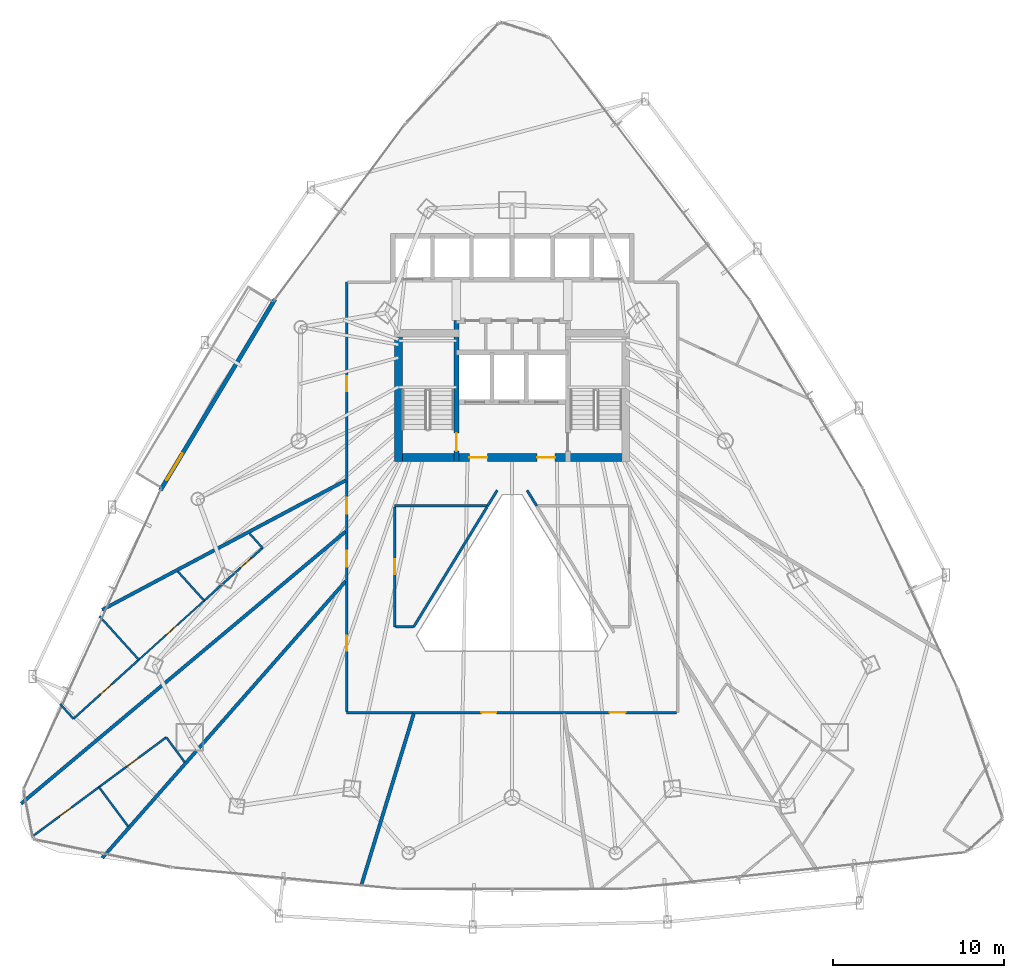
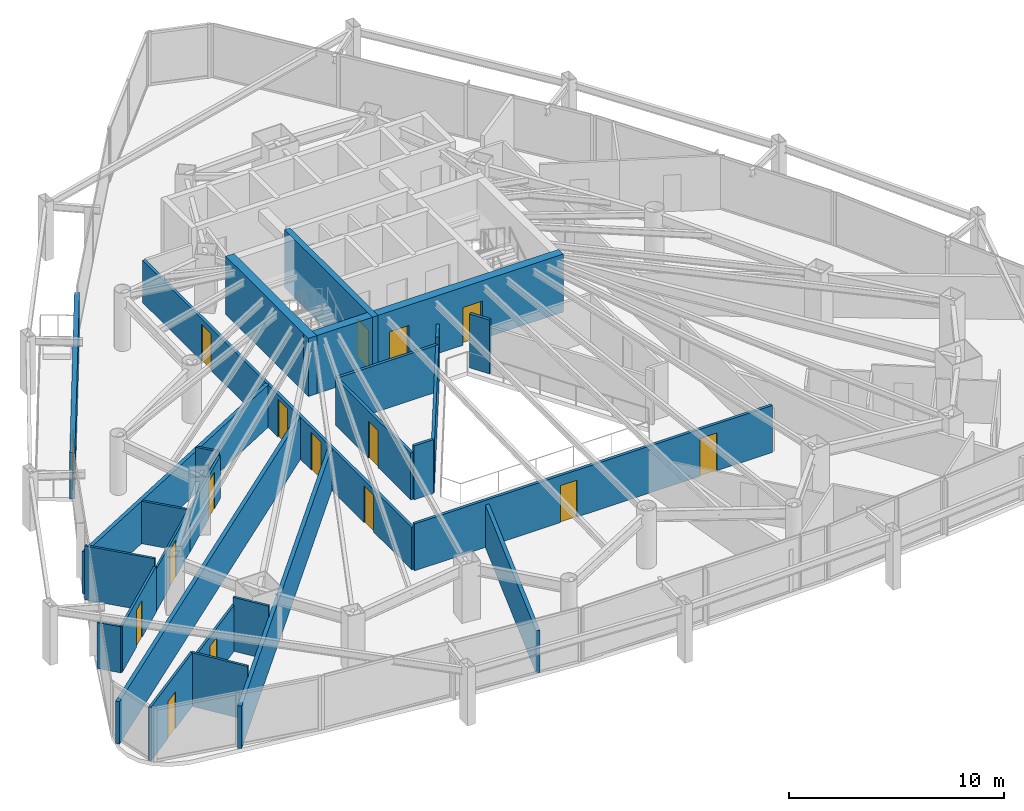
# One storey, part 32 of 38: 27 walls, 16 doors, 16 openings.
"""IFC4 building model written with IfcOpenShell, lengths in metres."""

from ifc_helpers import new_model, si_unit, direction, frame, frame_2d, origin, place, context, subcontext, project, spatial, rectangle, extrude, material, layer, layer_set, type_object, element, fill, save


model = new_model("IFC4")

# Units and contexts
model_context = context("Model", 3, precision=1e-05, world=origin(), true_north=direction((0.0, 1.0)))
body_context = subcontext(model_context, "Body", "Model", "MODEL_VIEW")
ifc_project = project(units=[si_unit("LENGTHUNIT", "METRE"), si_unit("AREAUNIT", "SQUARE_METRE"), si_unit("VOLUMEUNIT", "CUBIC_METRE"), si_unit("PLANEANGLEUNIT", "RADIAN"), si_unit("MASSUNIT", "GRAM", prefix="KILO")], contexts=[model_context])

# Site, building, storey
site_placement = place(None, origin())
site = spatial("IfcSite", under=ifc_project, at=site_placement, CompositionType="ELEMENT")
building_placement = place(site_placement, origin())
building = spatial("IfcBuilding", under=site, at=building_placement, Name="Orvanel Arch Residences", CompositionType="ELEMENT")
storey_placement = place(building_placement, frame((0.0, 0.0, 46.699951171875)))
storey = spatial("IfcBuildingStorey", under=building, at=storey_placement, Name="L12", CompositionType="ELEMENT", Elevation=46.699951171875)

# Wall, opening, door
ifc_material_1 = material(Name="Precast concrete N50 (50 MPa)", Category="concrete")
ifc_layer_1 = layer(ifc_material_1, 0.239990234375)
ifc_layer_set_1 = layer_set([ifc_layer_1], Name="Precast concrete N50 (50 MPa)")
wall_type_1 = type_object("IfcWallType", Name="EW-BAL-240", PredefinedType="SOLIDWALL", material=ifc_layer_set_1)
wall_1_placement = place(storey_placement, frame((19.162109375, 35.89599609375, 0.0), z_axis=(0.0, 0.0, 1.0), x_axis=(-0.514316069528, -0.857600711652, 0.0)))
wall_1 = element("IfcWall", 1, at=wall_1_placement, inside=storey, type_object=wall_type_1, Name="L12 Balcony Threshold Wall Face 1", PredefinedType="SOLIDWALL", context=body_context, shape_type="SweptSolid", body=[
    extrude(rectangle(XDim=12.988525390625, YDim=0.239990234375, at=frame_2d((6.494140625, 0.0))), origin(), (0.0, 0.0, 1.0), 2.6240234375),
])
opening_1_placement = place(wall_1_placement, frame((10.490966796875, 0.0, 0.0)))
opening_1 = element("IfcOpeningElement", 2, at=opening_1_placement, cuts=wall_1, Name="Opening DB-180", PredefinedType="OPENING", context=body_context, shape_type="SweptSolid", body=[
    extrude(rectangle(XDim=1.800048828125, YDim=2.199951171875, at=frame_2d((0.89990234375, 1.10009765625))), frame((0.0, 0.1298828125, 0.0), z_axis=(0.0, -1.0, 0.0), x_axis=(1.0, 0.0, 0.0)), (0.0, 0.0, 1.0), 0.260009765625),
])
ifc_material_2 = material(Name="Bronze-anodised aluminium AA6063-T6", Category="aluminium")
door_type_1 = type_object("IfcDoorType", Name="DR-BAL-1800", OperationType="NOTDEFINED", PredefinedType="DOOR", material=ifc_material_2)
door_1_placement = place(opening_1_placement, origin())
door_1 = element("IfcDoor", 3, at=door_1_placement, inside=storey, type_object=door_type_1, Name="DR-L12-BAL-F1 L12 Planted Balcony Access Door Face 1", OperationType="SINGLE_SWING_RIGHT", OverallHeight=2.199951171875, OverallWidth=1.800048828125, PredefinedType="DOOR", context=body_context, shape_type="SweptSolid", body=[
    extrude(rectangle(XDim=1.800048828125, YDim=2.199951171875, at=frame_2d((0.89990234375, 1.10009765625))), frame((0.0, 0.02490234375, 0.0), z_axis=(0.0, -1.0, 0.0), x_axis=(1.0, 0.0, 0.0)), (0.0, 0.0, 1.0), 0.050048828125),
])
fill(opening_1, door_1)

ifc_material_3 = material(Name="Concrete S80 (80 MPa)", Category="concrete")
ifc_layer_2 = layer(ifc_material_3, 0.300048828125)
ifc_layer_set_2 = layer_set([ifc_layer_2], Name="Concrete S80 (80 MPa)")
wall_type_2 = type_object("IfcWallType", Name="SW-CORE-300", PredefinedType="SHEAR", material=ifc_layer_set_2)
wall_2_placement = place(storey_placement, frame((29.75, 26.449951171875, 0.0), z_axis=(0.0, 0.0, 1.0), x_axis=(0.0, 1.0, 0.0)))
wall_2 = element("IfcWall", 4, at=wall_2_placement, inside=storey, type_object=wall_type_2, Name="L12 West Inner Core Spine Shear Wall", PredefinedType="SHEAR", context=body_context, shape_type="SweptSolid", body=[
    extrude(rectangle(XDim=8.199951171875, YDim=0.300048828125, at=frame_2d((4.10009765625, 0.0))), origin(), (0.0, 0.0, 1.0), 3.300048828125),
])
opening_2_placement = place(wall_2_placement, frame((0.60009765625, 0.0, 0.0)))
opening_2 = element("IfcOpeningElement", 5, at=opening_2_placement, cuts=wall_2, Name="Opening DF-120", PredefinedType="OPENING", context=body_context, shape_type="SweptSolid", body=[
    extrude(rectangle(XDim=1.050048828125, YDim=2.14990234375, at=frame_2d((0.52490234375, 1.074951171875))), frame((0.0, 0.159912109375, 0.0), z_axis=(0.0, -1.0, 0.0), x_axis=(1.0, 0.0, 0.0)), (0.0, 0.0, 1.0), 0.320068359375),
])
ifc_material_4 = material(Name="Galvanised steel fire-resisting door assembly", Category="steel")
door_type_2 = type_object("IfcDoorType", Name="DR-FD120-1050", OperationType="NOTDEFINED", PredefinedType="DOOR", material=ifc_material_4)
door_2_placement = place(opening_2_placement, origin())
door_2 = element("IfcDoor", 6, at=door_2_placement, inside=storey, type_object=door_type_2, Name="DR-L12-ST1 L12 Stair 1 Fire Door", OperationType="SINGLE_SWING_LEFT", OverallHeight=2.14990234375, OverallWidth=1.050048828125, PredefinedType="DOOR", context=body_context, shape_type="SweptSolid", body=[
    extrude(rectangle(XDim=1.050048828125, YDim=2.14990234375, at=frame_2d((0.52490234375, 1.074951171875))), frame((0.0, 0.02490234375, 0.0), z_axis=(0.0, -1.0, 0.0), x_axis=(1.0, 0.0, 0.0)), (0.0, 0.0, 1.0), 0.050048828125),
])
fill(opening_2, door_2)

# Wall, openings, doors
ifc_layer_3 = layer(ifc_material_3, 0.449951171875)
ifc_layer_set_3 = layer_set([ifc_layer_3], Name="Concrete S80 (80 MPa)")
wall_type_3 = type_object("IfcWallType", Name="SW-CORE-450", PredefinedType="SHEAR", material=ifc_layer_set_3)
wall_3_placement = place(storey_placement, frame((26.14990234375, 26.675048828125, 0.0), z_axis=(0.0, 0.0, 1.0), x_axis=(1.0, 0.0, 0.0)))
wall_3 = element("IfcWall", 7, at=wall_3_placement, inside=storey, type_object=wall_type_3, Name="L12 South Core Shear Wall", PredefinedType="SHEAR", context=body_context, shape_type="SweptSolid", body=[
    extrude(rectangle(XDim=13.7001953125, YDim=0.449951171875, at=frame_2d((6.85009765625, 0.0))), origin(), (0.0, 0.0, 1.0), 3.300048828125),
])
opening_3_placement = place(wall_3_placement, frame((4.35009765625, 0.0, 0.0)))
opening_3 = element("IfcOpeningElement", 8, at=opening_3_placement, cuts=wall_3, Name="Opening DF-060", PredefinedType="OPENING", context=body_context, shape_type="SweptSolid", body=[
    extrude(rectangle(XDim=1.050048828125, YDim=2.14990234375, at=frame_2d((0.52490234375, 1.074951171875))), frame((0.0, 0.23486328125, 0.0), z_axis=(0.0, -1.0, 0.0), x_axis=(1.0, 0.0, 0.0)), (0.0, 0.0, 1.0), 0.469970703125),
])
opening_4_placement = place(wall_3_placement, frame((8.300048828125, 0.0, 0.0)))
opening_4 = element("IfcOpeningElement", 9, at=opening_4_placement, cuts=wall_3, Name="Opening DF-060", PredefinedType="OPENING", context=body_context, shape_type="SweptSolid", body=[
    extrude(rectangle(XDim=1.050048828125, YDim=2.14990234375, at=frame_2d((0.52490234375, 1.074951171875))), frame((0.0, 0.23486328125, 0.0), z_axis=(0.0, -1.0, 0.0), x_axis=(1.0, 0.0, 0.0)), (0.0, 0.0, 1.0), 0.469970703125),
])
door_type_3 = type_object("IfcDoorType", Name="DR-FD60-1050", OperationType="NOTDEFINED", PredefinedType="DOOR", material=ifc_material_4)
door_3_placement = place(opening_3_placement, origin())
door_3 = element("IfcDoor", 10, at=door_3_placement, inside=storey, type_object=door_type_3, Name="DR-L12-FFL-W L12 West Smoke Lobby Door", OperationType="SINGLE_SWING_LEFT", OverallHeight=2.14990234375, OverallWidth=1.050048828125, PredefinedType="DOOR", context=body_context, shape_type="SweptSolid", body=[
    extrude(rectangle(XDim=1.050048828125, YDim=2.14990234375, at=frame_2d((0.52490234375, 1.074951171875))), frame((0.0, 0.02490234375, 0.0), z_axis=(0.0, -1.0, 0.0), x_axis=(1.0, 0.0, 0.0)), (0.0, 0.0, 1.0), 0.050048828125),
])
fill(opening_3, door_3)
door_4_placement = place(opening_4_placement, origin())
door_4 = element("IfcDoor", 11, at=door_4_placement, inside=storey, type_object=door_type_3, Name="DR-L12-FFL-E L12 East Smoke Lobby Door", OperationType="SINGLE_SWING_RIGHT", OverallHeight=2.14990234375, OverallWidth=1.050048828125, PredefinedType="DOOR", context=body_context, shape_type="SweptSolid", body=[
    extrude(rectangle(XDim=1.050048828125, YDim=2.14990234375, at=frame_2d((0.52490234375, 1.074951171875))), frame((0.0, 0.02490234375, 0.0), z_axis=(0.0, -1.0, 0.0), x_axis=(1.0, 0.0, 0.0)), (0.0, 0.0, 1.0), 0.050048828125),
])
fill(opening_4, door_4)

# Wall
wall_4_placement = place(storey_placement, frame((26.375, 26.449951171875, 0.0), z_axis=(0.0, 0.0, 1.0), x_axis=(0.0, 1.0, 0.0)))
element("IfcWall", 12, at=wall_4_placement, inside=storey, type_object=wall_type_3, Name="L12 West Stair Shear Wall", PredefinedType="SHEAR", context=body_context, shape_type="SweptSolid", body=[
    extrude(rectangle(XDim=7.699951171875, YDim=0.449951171875, at=frame_2d((3.85009765625, 0.0))), origin(), (0.0, 0.0, 1.0), 3.300048828125),
])

# Wall, openings, doors
ifc_material_5 = material(Name="Fire-rated plasterboard lined steel stud partition", Category="steel")
ifc_layer_4 = layer(ifc_material_5, 0.14990234375)
ifc_layer_set_4 = layer_set([ifc_layer_4], Name="Fire-rated plasterboard lined steel stud partition")
wall_type_4 = type_object("IfcWallType", Name="W-COR-150", PredefinedType="PARTITIONING", material=ifc_layer_set_4)
wall_5_placement = place(storey_placement, frame((42.590087890625, 11.800048828125, 0.0), z_axis=(0.0, 0.0, 1.0), x_axis=(-1.0, 0.0, 0.0)))
wall_5 = element("IfcWall", 13, at=wall_5_placement, inside=storey, type_object=wall_type_4, Name="L12 Corridor Fire-Rated Partition", PredefinedType="PARTITIONING", context=body_context, shape_type="SweptSolid", body=[
    extrude(rectangle(XDim=19.239990234375, YDim=0.14990234375, at=frame_2d((9.6201171875, 0.0))), origin(), (0.0, 0.0, 1.0), 2.6689453125),
])
opening_5_placement = place(wall_5_placement, frame((10.508056640625, 0.0, 0.0)))
opening_5 = element("IfcOpeningElement", 14, at=opening_5_placement, cuts=wall_5, Name="Opening DI-088", PredefinedType="OPENING", context=body_context, shape_type="SweptSolid", body=[
    extrude(rectangle(XDim=0.8798828125, YDim=2.10009765625, at=frame_2d((0.43994140625, 1.050048828125))), frame((0.0, 0.0849609375, 0.0), z_axis=(0.0, -1.0, 0.0), x_axis=(1.0, 0.0, 0.0)), (0.0, 0.0, 1.0), 0.169921875),
])
opening_6_placement = place(wall_5_placement, frame((2.97998046875, 0.0, 0.0)))
opening_6 = element("IfcOpeningElement", 15, at=opening_6_placement, cuts=wall_5, Name="Opening DA-092", PredefinedType="OPENING", context=body_context, shape_type="SweptSolid", body=[
    extrude(rectangle(XDim=0.919921875, YDim=2.14990234375, at=frame_2d((0.4599609375, 1.074951171875))), frame((0.0, 0.0849609375, 0.0), z_axis=(0.0, -1.0, 0.0), x_axis=(1.0, 0.0, 0.0)), (0.0, 0.0, 1.0), 0.169921875),
])
ifc_material_6 = material(Name="Solid-core European oak veneer fire door leaf", Category="wood")
door_type_4 = type_object("IfcDoorType", Name="DR-APT-920", OperationType="NOTDEFINED", PredefinedType="DOOR", material=ifc_material_6)
door_5_placement = place(opening_6_placement, origin())
door_5 = element("IfcDoor", 16, at=door_5_placement, inside=storey, type_object=door_type_4, Name="DR-L12-F-ENT L12 Studio F Entrance Door", OperationType="SINGLE_SWING_LEFT", OverallHeight=2.14990234375, OverallWidth=0.919921875, PredefinedType="DOOR", context=body_context, shape_type="SweptSolid", body=[
    extrude(rectangle(XDim=0.919921875, YDim=2.14990234375, at=frame_2d((0.4599609375, 1.074951171875))), frame((0.0, 0.02490234375, 0.0), z_axis=(0.0, -1.0, 0.0), x_axis=(1.0, 0.0, 0.0)), (0.0, 0.0, 1.0), 0.050048828125),
])
fill(opening_6, door_5)
door_type_5 = type_object("IfcDoorType", Name="DR-INT-880", OperationType="NOTDEFINED", PredefinedType="DOOR", material=ifc_material_6)
door_6_placement = place(opening_5_placement, origin())
door_6 = element("IfcDoor", 17, at=door_6_placement, inside=storey, type_object=door_type_5, Name="DR-L12-SHRD-FB5 L12 Co-Working Study Office E Door", OperationType="SINGLE_SWING_LEFT", OverallHeight=2.10009765625, OverallWidth=0.8798828125, PredefinedType="DOOR", context=body_context, shape_type="SweptSolid", body=[
    extrude(rectangle(XDim=0.8798828125, YDim=2.10009765625, at=frame_2d((0.43994140625, 1.050048828125))), frame((0.0, 0.02490234375, 0.0), z_axis=(0.0, -1.0, 0.0), x_axis=(1.0, 0.0, 0.0)), (0.0, 0.0, 1.0), 0.050048828125),
])
fill(opening_5, door_6)

wall_6_placement = place(storey_placement, frame((23.35009765625, 11.860107421875, 0.0), z_axis=(0.0, 0.0, 1.0), x_axis=(0.0, 1.0, 0.0)))
wall_6 = element("IfcWall", 18, at=wall_6_placement, inside=storey, type_object=wall_type_4, Name="L12 Corridor Fire-Rated Partition", PredefinedType="PARTITIONING", context=body_context, shape_type="SweptSolid", body=[
    extrude(rectangle(XDim=25.039794921875, YDim=0.14990234375, at=frame_2d((12.52001953125, 0.0))), origin(), (0.0, 0.0, 1.0), 2.4130859375),
])
opening_7_placement = place(wall_6_placement, frame((18.669921875, 0.0, 0.0)))
opening_7 = element("IfcOpeningElement", 19, at=opening_7_placement, cuts=wall_6, Name="Opening DI-088", PredefinedType="OPENING", context=body_context, shape_type="SweptSolid", body=[
    extrude(rectangle(XDim=0.8798828125, YDim=2.10009765625, at=frame_2d((0.43994140625, 1.050048828125))), frame((0.0, 0.0849609375, 0.0), z_axis=(0.0, -1.0, 0.0), x_axis=(1.0, 0.0, 0.0)), (0.0, 0.0, 1.0), 0.169921875),
])
opening_8_placement = place(wall_6_placement, frame((3.54296875, 0.0, 0.0)))
opening_8 = element("IfcOpeningElement", 20, at=opening_8_placement, cuts=wall_6, Name="Opening DI-088", PredefinedType="OPENING", context=body_context, shape_type="SweptSolid", body=[
    extrude(rectangle(XDim=0.8798828125, YDim=2.10009765625, at=frame_2d((0.43994140625, 1.050048828125))), frame((0.0, 0.0849609375, 0.0), z_axis=(0.0, -1.0, 0.0), x_axis=(1.0, 0.0, 0.0)), (0.0, 0.0, 1.0), 0.169921875),
])
opening_9_placement = place(wall_6_placement, frame((8.445068359375, 0.0, 0.0)))
opening_9 = element("IfcOpeningElement", 21, at=opening_9_placement, cuts=wall_6, Name="Opening DA-092", PredefinedType="OPENING", context=body_context, shape_type="SweptSolid", body=[
    extrude(rectangle(XDim=0.919921875, YDim=2.14990234375, at=frame_2d((0.4599609375, 1.074951171875))), frame((0.0, 0.0849609375, 0.0), z_axis=(0.0, -1.0, 0.0), x_axis=(1.0, 0.0, 0.0)), (0.0, 0.0, 1.0), 0.169921875),
])
opening_10_placement = place(wall_6_placement, frame((11.534912109375, 0.0, 0.0)))
opening_10 = element("IfcOpeningElement", 22, at=opening_10_placement, cuts=wall_6, Name="Opening DA-092", PredefinedType="OPENING", context=body_context, shape_type="SweptSolid", body=[
    extrude(rectangle(XDim=0.919921875, YDim=2.14990234375, at=frame_2d((0.4599609375, 1.074951171875))), frame((0.0, 0.0849609375, 0.0), z_axis=(0.0, -1.0, 0.0), x_axis=(1.0, 0.0, 0.0)), (0.0, 0.0, 1.0), 0.169921875),
])
door_7_placement = place(opening_9_placement, origin())
door_7 = element("IfcDoor", 23, at=door_7_placement, inside=storey, type_object=door_type_4, Name="DR-L12-G-ENT L12 Studio G Entrance Door", OperationType="SINGLE_SWING_RIGHT", OverallHeight=2.14990234375, OverallWidth=0.919921875, PredefinedType="DOOR", context=body_context, shape_type="SweptSolid", body=[
    extrude(rectangle(XDim=0.919921875, YDim=2.14990234375, at=frame_2d((0.4599609375, 1.074951171875))), frame((0.0, 0.02490234375, 0.0), z_axis=(0.0, -1.0, 0.0), x_axis=(1.0, 0.0, 0.0)), (0.0, 0.0, 1.0), 0.050048828125),
])
fill(opening_9, door_7)
door_8_placement = place(opening_10_placement, origin())
door_8 = element("IfcDoor", 24, at=door_8_placement, inside=storey, type_object=door_type_4, Name="DR-L12-H-ENT L12 Studio H Entrance Door", OperationType="SINGLE_SWING_LEFT", OverallHeight=2.14990234375, OverallWidth=0.919921875, PredefinedType="DOOR", context=body_context, shape_type="SweptSolid", body=[
    extrude(rectangle(XDim=0.919921875, YDim=2.14990234375, at=frame_2d((0.4599609375, 1.074951171875))), frame((0.0, 0.02490234375, 0.0), z_axis=(0.0, -1.0, 0.0), x_axis=(1.0, 0.0, 0.0)), (0.0, 0.0, 1.0), 0.050048828125),
])
fill(opening_10, door_8)
door_9_placement = place(opening_7_placement, origin())
door_9 = element("IfcDoor", 25, at=door_9_placement, inside=storey, type_object=door_type_5, Name="DR-L12-SHRD-FB1 L12 Co-Working Study Office A Door", OperationType="SINGLE_SWING_LEFT", OverallHeight=2.10009765625, OverallWidth=0.8798828125, PredefinedType="DOOR", context=body_context, shape_type="SweptSolid", body=[
    extrude(rectangle(XDim=0.8798828125, YDim=2.10009765625, at=frame_2d((0.43994140625, 1.050048828125))), frame((0.0, 0.02490234375, 0.0), z_axis=(0.0, -1.0, 0.0), x_axis=(1.0, 0.0, 0.0)), (0.0, 0.0, 1.0), 0.050048828125),
])
fill(opening_7, door_9)
door_10_placement = place(opening_8_placement, origin())
door_10 = element("IfcDoor", 26, at=door_10_placement, inside=storey, type_object=door_type_5, Name="DR-L12-SHRD-FB3 L12 Co-Working Study Office C Door", OperationType="SINGLE_SWING_LEFT", OverallHeight=2.10009765625, OverallWidth=0.8798828125, PredefinedType="DOOR", context=body_context, shape_type="SweptSolid", body=[
    extrude(rectangle(XDim=0.8798828125, YDim=2.10009765625, at=frame_2d((0.43994140625, 1.050048828125))), frame((0.0, 0.02490234375, 0.0), z_axis=(0.0, -1.0, 0.0), x_axis=(1.0, 0.0, 0.0)), (0.0, 0.0, 1.0), 0.050048828125),
])
fill(opening_8, door_10)

# Walls
wall_7_placement = place(storey_placement, frame((32.12890625, 24.758056640625, 0.0), z_axis=(0.0, 0.0, 1.0), x_axis=(-0.525488010188, -0.850801005611, 0.0)))
element("IfcWall", 27, at=wall_7_placement, inside=storey, type_object=wall_type_4, Name="L12 Corridor Fire-Rated Partition", PredefinedType="PARTITIONING", context=body_context, shape_type="SweptSolid", body=[
    extrude(rectangle(XDim=1.067138671875, YDim=0.14990234375, at=frame_2d((0.53369140625, 0.0))), origin(), (0.0, 0.0, 1.0), 3.06005859375),
])
wall_8_placement = place(storey_placement, frame((31.568115234375, 23.85009765625, 0.0), z_axis=(0.0, 0.0, 1.0), x_axis=(-1.0, 0.0, 0.0)))
element("IfcWall", 28, at=wall_8_placement, inside=storey, type_object=wall_type_4, Name="L12 Corridor Fire-Rated Partition", PredefinedType="PARTITIONING", context=body_context, shape_type="SweptSolid", body=[
    extrude(rectangle(XDim=5.418212890625, YDim=0.14990234375, at=frame_2d((2.708984375, 0.0))), origin(), (0.0, 0.0, 1.0), 2.6689453125),
])

# Wall, opening, door
wall_9_placement = place(storey_placement, frame((26.14990234375, 23.7900390625, 0.0), z_axis=(0.0, 0.0, 1.0), x_axis=(0.0, -1.0, 0.0)))
wall_9 = element("IfcWall", 29, at=wall_9_placement, inside=storey, type_object=wall_type_4, Name="L12 Corridor Fire-Rated Partition", PredefinedType="PARTITIONING", context=body_context, shape_type="SweptSolid", body=[
    extrude(rectangle(XDim=6.989990234375, YDim=0.14990234375, at=frame_2d((3.4951171875, 0.0))), origin(), (0.0, 0.0, 1.0), 2.6689453125),
])
opening_11_placement = place(wall_9_placement, frame((3.054931640625, 0.0, 0.0)))
opening_11 = element("IfcOpeningElement", 30, at=opening_11_placement, cuts=wall_9, Name="Opening DI-088", PredefinedType="OPENING", context=body_context, shape_type="SweptSolid", body=[
    extrude(rectangle(XDim=0.8798828125, YDim=2.10009765625, at=frame_2d((0.43994140625, 1.050048828125))), frame((0.0, 0.0849609375, 0.0), z_axis=(0.0, -1.0, 0.0), x_axis=(1.0, 0.0, 0.0)), (0.0, 0.0, 1.0), 0.169921875),
])
door_11_placement = place(opening_11_placement, origin())
door_11 = element("IfcDoor", 31, at=door_11_placement, inside=storey, type_object=door_type_5, Name="DR-L12-SHRD-FB10 L12 Co-Working Study Office J Door", OperationType="SINGLE_SWING_LEFT", OverallHeight=2.10009765625, OverallWidth=0.8798828125, PredefinedType="DOOR", context=body_context, shape_type="SweptSolid", body=[
    extrude(rectangle(XDim=0.8798828125, YDim=2.10009765625, at=frame_2d((0.43994140625, 1.050048828125))), frame((0.0, 0.02490234375, 0.0), z_axis=(0.0, -1.0, 0.0), x_axis=(1.0, 0.0, 0.0)), (0.0, 0.0, 1.0), 0.050048828125),
])
fill(opening_11, door_11)

# Walls
wall_10_placement = place(storey_placement, frame((26.2099609375, 16.800048828125, 0.0), z_axis=(0.0, 0.0, 1.0), x_axis=(1.0, 0.0, 0.0)))
element("IfcWall", 32, at=wall_10_placement, inside=storey, type_object=wall_type_4, Name="L12 Corridor Fire-Rated Partition", PredefinedType="PARTITIONING", context=body_context, shape_type="SweptSolid", body=[
    extrude(rectangle(XDim=1.049072265625, YDim=0.14990234375, at=frame_2d((0.5244140625, 0.0))), origin(), (0.0, 0.0, 1.0), 3.06005859375),
])
wall_11_placement = place(storey_placement, frame((34.431884765625, 23.85009765625, 0.0), z_axis=(0.0, 0.0, 1.0), x_axis=(-0.525488010188, 0.850801005611, 0.0)))
element("IfcWall", 33, at=wall_11_placement, inside=storey, type_object=wall_type_4, Name="L12 Corridor Fire-Rated Partition", PredefinedType="PARTITIONING", context=body_context, shape_type="SweptSolid", body=[
    extrude(rectangle(XDim=1.067138671875, YDim=0.14990234375, at=frame_2d((0.53369140625, 0.0))), origin(), (0.0, 0.0, 1.0), 3.06005859375),
])
wall_12_placement = place(storey_placement, frame((27.259033203125, 16.801025390625, 0.0), z_axis=(0.0, 0.0, 1.0), x_axis=(0.522072924527, 0.852900850906, 0.0)))
element("IfcWall", 34, at=wall_12_placement, inside=storey, type_object=wall_type_4, Name="L12 Atrium Overlook Glazed Partition", PredefinedType="PARTITIONING", context=body_context, shape_type="SweptSolid", body=[
    extrude(rectangle(XDim=8.1943359375, YDim=0.14990234375, at=frame_2d((4.09716796875, 0.0))), origin(), (0.0, 0.0, 1.0), 2.6689453125),
])
ifc_layer_5 = layer(ifc_material_5, 0.199951171875)
ifc_layer_set_5 = layer_set([ifc_layer_5], Name="Fire-rated plasterboard lined steel stud partition")
wall_type_5 = type_object("IfcWallType", Name="W-DEM-200", PredefinedType="PARTITIONING", material=ifc_layer_set_5)
wall_13_placement = place(storey_placement, frame((23.2900390625, 25.3369140625, 0.0), z_axis=(0.0, 0.0, 1.0), x_axis=(-0.882959018112, -0.469450074379, 0.0)))
element("IfcWall", 35, at=wall_13_placement, inside=storey, type_object=wall_type_5, Name="L12 Inter-Tenancy Acoustic Demising Wall", PredefinedType="PARTITIONING", context=body_context, shape_type="SweptSolid", body=[
    extrude(rectangle(XDim=16.082275390625, YDim=0.199951171875, at=frame_2d((8.041015625, 0.0))), origin(), (0.0, 0.0, 1.0), 2.4130859375),
])
wall_14_placement = place(storey_placement, frame((27.263916015625, 11.739990234375, 0.0), z_axis=(0.0, 0.0, 1.0), x_axis=(-0.292294665238, -0.956328305904, 0.0)))
element("IfcWall", 36, at=wall_14_placement, inside=storey, type_object=wall_type_5, Name="L12 Inter-Tenancy Acoustic Demising Wall", PredefinedType="PARTITIONING", context=body_context, shape_type="SweptSolid", body=[
    extrude(rectangle(XDim=10.510009765625, YDim=0.199951171875, at=frame_2d((5.2548828125, 0.0))), origin(), (0.0, 0.0, 1.0), 2.4130859375),
])
wall_15_placement = place(storey_placement, frame((9.096923828125, 3.318115234375, 0.0), z_axis=(0.0, 0.0, 1.0), x_axis=(0.66036589704, 0.750943993935, 0.0)))
element("IfcWall", 37, at=wall_15_placement, inside=storey, type_object=wall_type_5, Name="L12 Inter-Tenancy Acoustic Demising Wall", PredefinedType="PARTITIONING", context=body_context, shape_type="SweptSolid", body=[
    extrude(rectangle(XDim=21.492919921875, YDim=0.199951171875, at=frame_2d((10.74658203125, 0.0))), origin(), (0.0, 0.0, 1.0), 2.4130859375),
])
wall_16_placement = place(storey_placement, frame((4.362060546875, 6.486083984375, 0.0), z_axis=(0.0, 0.0, 1.0), x_axis=(0.766256370513, 0.642534959865, 0.0)))
element("IfcWall", 38, at=wall_16_placement, inside=storey, type_object=wall_type_5, Name="L12 Inter-Tenancy Acoustic Demising Wall", PredefinedType="PARTITIONING", context=body_context, shape_type="SweptSolid", body=[
    extrude(rectangle(XDim=24.701904296875, YDim=0.199951171875, at=frame_2d((12.35107421875, 0.0))), origin(), (0.0, 0.0, 1.0), 2.4130859375),
])

# Wall, opening, door
ifc_material_7 = material(Name="Acoustic plasterboard lined twin-stud partition", Category="gypsum")
ifc_layer_6 = layer(ifc_material_7, 0.10009765625)
ifc_layer_set_6 = layer_set([ifc_layer_6], Name="Acoustic plasterboard lined twin-stud partition")
wall_type_6 = type_object("IfcWallType", Name="W-INT-100", PredefinedType="PARTITIONING", material=ifc_layer_set_6)
wall_17_placement = place(storey_placement, frame((11.22802734375, 14.8798828125, 0.0), z_axis=(0.0, 0.0, 1.0), x_axis=(0.742007319068, 0.670391779819, 0.0)))
wall_17 = element("IfcWall", 39, at=wall_17_placement, inside=storey, type_object=wall_type_6, Name="L12 Studio H Internal Partition", PredefinedType="PARTITIONING", context=body_context, shape_type="SweptSolid", body=[
    extrude(rectangle(XDim=5.137451171875, YDim=0.10009765625, at=frame_2d((2.56884765625, 0.0))), origin(), (0.0, 0.0, 1.0), 2.4130859375),
])
opening_12_placement = place(wall_17_placement, frame((2.12890625, 0.0, 0.0)))
opening_12 = element("IfcOpeningElement", 40, at=opening_12_placement, cuts=wall_17, Name="Opening DI-088", PredefinedType="OPENING", context=body_context, shape_type="SweptSolid", body=[
    extrude(rectangle(XDim=0.8798828125, YDim=2.10009765625, at=frame_2d((0.43994140625, 1.050048828125))), frame((0.0, 0.06005859375, 0.0), z_axis=(0.0, -1.0, 0.0), x_axis=(1.0, 0.0, 0.0)), (0.0, 0.0, 1.0), 0.1201171875),
])
door_12_placement = place(opening_12_placement, origin())
door_12 = element("IfcDoor", 41, at=door_12_placement, inside=storey, type_object=door_type_5, Name="DR-L12-H-DIN1 L12 Studio H Dining Room 1 Door", OperationType="SINGLE_SWING_LEFT", OverallHeight=2.10009765625, OverallWidth=0.8798828125, PredefinedType="DOOR", context=body_context, shape_type="SweptSolid", body=[
    extrude(rectangle(XDim=0.8798828125, YDim=2.10009765625, at=frame_2d((0.43994140625, 1.050048828125))), frame((0.0, 0.02490234375, 0.0), z_axis=(0.0, -1.0, 0.0), x_axis=(1.0, 0.0, 0.0)), (0.0, 0.0, 1.0), 0.050048828125),
])
fill(opening_12, door_12)

# Wall
ifc_layer_7 = layer(ifc_material_7, 0.1201171875)
ifc_layer_set_7 = layer_set([ifc_layer_7], Name="Acoustic plasterboard lined twin-stud partition")
wall_type_7 = type_object("IfcWallType", Name="W-WET-120", PredefinedType="PARTITIONING", material=ifc_layer_set_7)
wall_18_placement = place(storey_placement, frame((13.89990234375, 8.908935546875, 0.0), z_axis=(0.0, 0.0, 1.0), x_axis=(-0.595282665334, 0.803516364708, 0.0)))
element("IfcWall", 42, at=wall_18_placement, inside=storey, type_object=wall_type_7, Name="L12 Studio G Bathroom Partition", PredefinedType="PARTITIONING", context=body_context, shape_type="SweptSolid", body=[
    extrude(rectangle(XDim=1.80078125, YDim=0.1201171875, at=frame_2d((0.900390625, 0.0))), origin(), (0.0, 0.0, 1.0), 3.06005859375),
])

# Wall, opening, door
wall_19_placement = place(storey_placement, frame((12.827880859375, 10.35595703125, 0.0), z_axis=(0.0, 0.0, 1.0), x_axis=(-0.803609449498, -0.595156998344, 0.0)))
wall_19 = element("IfcWall", 43, at=wall_19_placement, inside=storey, type_object=wall_type_7, Name="L12 Studio G Bathroom Partition", PredefinedType="PARTITIONING", context=body_context, shape_type="SweptSolid", body=[
    extrude(rectangle(XDim=4.8828125, YDim=0.1201171875, at=frame_2d((2.44140625, 0.0))), origin(), (0.0, 0.0, 1.0), 2.619140625),
])
opening_13_placement = place(wall_19_placement, frame((2.031005859375, 0.0, 0.0)))
opening_13 = element("IfcOpeningElement", 44, at=opening_13_placement, cuts=wall_19, Name="Opening DW-082", PredefinedType="OPENING", context=body_context, shape_type="SweptSolid", body=[
    extrude(rectangle(XDim=0.820068359375, YDim=2.10009765625, at=frame_2d((0.41015625, 1.050048828125))), frame((0.0, 0.070068359375, 0.0), z_axis=(0.0, -1.0, 0.0), x_axis=(1.0, 0.0, 0.0)), (0.0, 0.0, 1.0), 0.14013671875),
])
door_type_6 = type_object("IfcDoorType", Name="DR-WET-820", OperationType="NOTDEFINED", PredefinedType="DOOR", material=ifc_material_6)
door_13_placement = place(opening_13_placement, origin())
door_13 = element("IfcDoor", 45, at=door_13_placement, inside=storey, type_object=door_type_6, Name="DR-L12-G-BATH L12 Studio G Bathroom Door", OperationType="SINGLE_SWING_RIGHT", OverallHeight=2.10009765625, OverallWidth=0.820068359375, PredefinedType="DOOR", context=body_context, shape_type="SweptSolid", body=[
    extrude(rectangle(XDim=0.820068359375, YDim=2.10009765625, at=frame_2d((0.41015625, 1.050048828125))), frame((0.0, 0.02490234375, 0.0), z_axis=(0.0, -1.0, 0.0), x_axis=(1.0, 0.0, 0.0)), (0.0, 0.0, 1.0), 0.050048828125),
])
fill(opening_13, door_13)

wall_20_placement = place(storey_placement, frame((8.904052734375, 7.449951171875, 0.0), z_axis=(0.0, 0.0, 1.0), x_axis=(-0.803552768464, -0.595233524168, 0.0)))
wall_20 = element("IfcWall", 46, at=wall_20_placement, inside=storey, type_object=wall_type_7, Name="L12 Studio G Internal Partition", PredefinedType="PARTITIONING", context=body_context, shape_type="SweptSolid", body=[
    extrude(rectangle(XDim=4.886962890625, YDim=0.1201171875, at=frame_2d((2.443359375, 0.0))), origin(), (0.0, 0.0, 1.0), 3.06005859375),
])
opening_14_placement = place(wall_20_placement, frame((2.00390625, 0.0, 0.0)))
opening_14 = element("IfcOpeningElement", 47, at=opening_14_placement, cuts=wall_20, Name="Opening DI-088", PredefinedType="OPENING", context=body_context, shape_type="SweptSolid", body=[
    extrude(rectangle(XDim=0.8798828125, YDim=2.10009765625, at=frame_2d((0.43994140625, 1.050048828125))), frame((0.0, 0.070068359375, 0.0), z_axis=(0.0, -1.0, 0.0), x_axis=(1.0, 0.0, 0.0)), (0.0, 0.0, 1.0), 0.14013671875),
])
door_14_placement = place(opening_14_placement, origin())
door_14 = element("IfcDoor", 48, at=door_14_placement, inside=storey, type_object=door_type_5, Name="DR-L12-G-KIT L12 Studio G Kitchenette Door", OperationType="SINGLE_SWING_LEFT", OverallHeight=2.10009765625, OverallWidth=0.8798828125, PredefinedType="DOOR", context=body_context, shape_type="SweptSolid", body=[
    extrude(rectangle(XDim=0.8798828125, YDim=2.10009765625, at=frame_2d((0.43994140625, 1.050048828125))), frame((0.0, 0.02490234375, 0.0), z_axis=(0.0, -1.0, 0.0), x_axis=(1.0, 0.0, 0.0)), (0.0, 0.0, 1.0), 0.050048828125),
])
fill(opening_14, door_14)

# Wall
wall_21_placement = place(storey_placement, frame((10.60205078125, 5.157958984375, 0.0), z_axis=(0.0, 0.0, 1.0), x_axis=(-0.595278721497, 0.803519286472, 0.0)))
element("IfcWall", 49, at=wall_21_placement, inside=storey, type_object=wall_type_7, Name="L12 Studio G Bathroom Partition", PredefinedType="PARTITIONING", context=body_context, shape_type="SweptSolid", body=[
    extrude(rectangle(XDim=2.8525390625, YDim=0.1201171875, at=frame_2d((1.42626953125, 0.0))), origin(), (0.0, 0.0, 1.0), 3.06005859375),
])

# Wall, opening, door
wall_22_placement = place(storey_placement, frame((15.0400390625, 18.323974609375, 0.0), z_axis=(0.0, 0.0, 1.0), x_axis=(0.741971948415, 0.670430926916, 0.0)))
wall_22 = element("IfcWall", 50, at=wall_22_placement, inside=storey, type_object=wall_type_7, Name="L12 Studio H Bathroom Partition", PredefinedType="PARTITIONING", context=body_context, shape_type="SweptSolid", body=[
    extrude(rectangle(XDim=4.58642578125, YDim=0.1201171875, at=frame_2d((2.293212890625, 0.0))), origin(), (0.0, 0.0, 1.0), 2.4130859375),
])
opening_15_placement = place(wall_22_placement, frame((2.860107421875, 0.0, 0.0)))
opening_15 = element("IfcOpeningElement", 51, at=opening_15_placement, cuts=wall_22, Name="Opening DW-082", PredefinedType="OPENING", context=body_context, shape_type="SweptSolid", body=[
    extrude(rectangle(XDim=0.820068359375, YDim=2.10009765625, at=frame_2d((0.41015625, 1.050048828125))), frame((0.0, 0.070068359375, 0.0), z_axis=(0.0, -1.0, 0.0), x_axis=(1.0, 0.0, 0.0)), (0.0, 0.0, 1.0), 0.14013671875),
])
door_15_placement = place(opening_15_placement, origin())
door_15 = element("IfcDoor", 52, at=door_15_placement, inside=storey, type_object=door_type_6, Name="DR-L12-H-BATH L12 Studio H Bathroom Door", OperationType="SINGLE_SWING_RIGHT", OverallHeight=2.10009765625, OverallWidth=0.820068359375, PredefinedType="DOOR", context=body_context, shape_type="SweptSolid", body=[
    extrude(rectangle(XDim=0.820068359375, YDim=2.10009765625, at=frame_2d((0.41015625, 1.050048828125))), frame((0.0, 0.02490234375, 0.0), z_axis=(0.0, -1.0, 0.0), x_axis=(1.0, 0.0, 0.0)), (0.0, 0.0, 1.0), 0.050048828125),
])
fill(opening_15, door_15)

# Walls
wall_23_placement = place(storey_placement, frame((18.443115234375, 21.39892578125, 0.0), z_axis=(0.0, 0.0, 1.0), x_axis=(-0.670112835353, 0.742259245746, 0.0)))
element("IfcWall", 53, at=wall_23_placement, inside=storey, type_object=wall_type_7, Name="L12 Studio H Bathroom Partition", PredefinedType="PARTITIONING", context=body_context, shape_type="SweptSolid", body=[
    extrude(rectangle(XDim=1.150634765625, YDim=0.1201171875, at=frame_2d((0.5751953125, 0.0))), origin(), (0.0, 0.0, 1.0), 2.6689453125),
])
wall_24_placement = place(storey_placement, frame((6.64208984375, 12.29296875, 0.0), z_axis=(0.0, 0.0, 1.0), x_axis=(0.670248695606, -0.742136568321, 0.0)))
element("IfcWall", 54, at=wall_24_placement, inside=storey, type_object=wall_type_7, Name="L12 Studio H Internal Partition", PredefinedType="PARTITIONING", context=body_context, shape_type="SweptSolid", body=[
    extrude(rectangle(XDim=1.15478515625, YDim=0.1201171875, at=frame_2d((0.577392578125, 0.0))), origin(), (0.0, 0.0, 1.0), 2.619140625),
])

# Wall, opening, door
wall_25_placement = place(storey_placement, frame((7.416015625, 11.43603515625, 0.0), z_axis=(0.0, 0.0, 1.0), x_axis=(0.742030958457, 0.670365614192, 0.0)))
wall_25 = element("IfcWall", 55, at=wall_25_placement, inside=storey, type_object=wall_type_7, Name="L12 Studio H Internal Partition", PredefinedType="PARTITIONING", context=body_context, shape_type="SweptSolid", body=[
    extrude(rectangle(XDim=5.13720703125, YDim=0.1201171875, at=frame_2d((2.568603515625, 0.0))), origin(), (0.0, 0.0, 1.0), 2.619140625),
])
opening_16_placement = place(wall_25_placement, frame((2.12890625, 0.0, 0.0)))
opening_16 = element("IfcOpeningElement", 56, at=opening_16_placement, cuts=wall_25, Name="Opening DI-088", PredefinedType="OPENING", context=body_context, shape_type="SweptSolid", body=[
    extrude(rectangle(XDim=0.8798828125, YDim=2.10009765625, at=frame_2d((0.43994140625, 1.050048828125))), frame((0.0, 0.070068359375, 0.0), z_axis=(0.0, -1.0, 0.0), x_axis=(1.0, 0.0, 0.0)), (0.0, 0.0, 1.0), 0.14013671875),
])
door_16_placement = place(opening_16_placement, origin())
door_16 = element("IfcDoor", 57, at=door_16_placement, inside=storey, type_object=door_type_5, Name="DR-L12-H-KIT L12 Studio H Kitchenette Door", OperationType="SINGLE_SWING_LEFT", OverallHeight=2.10009765625, OverallWidth=0.8798828125, PredefinedType="DOOR", context=body_context, shape_type="SweptSolid", body=[
    extrude(rectangle(XDim=0.8798828125, YDim=2.10009765625, at=frame_2d((0.43994140625, 1.050048828125))), frame((0.0, 0.02490234375, 0.0), z_axis=(0.0, -1.0, 0.0), x_axis=(1.0, 0.0, 0.0)), (0.0, 0.0, 1.0), 0.050048828125),
])
fill(opening_16, door_16)

# Walls
wall_26_placement = place(storey_placement, frame((15.0400390625, 18.323974609375, 0.0), z_axis=(0.0, 0.0, 1.0), x_axis=(-0.670602478911, 0.741816901451, 0.0)))
element("IfcWall", 58, at=wall_26_placement, inside=storey, type_object=wall_type_7, Name="L12 Studio H Bathroom Partition", PredefinedType="PARTITIONING", context=body_context, shape_type="SweptSolid", body=[
    extrude(rectangle(XDim=2.3037109375, YDim=0.1201171875, at=frame_2d((1.15185546875, 0.0))), origin(), (0.0, 0.0, 1.0), 2.4130859375),
])
wall_27_placement = place(storey_placement, frame((8.930908203125, 17.422119140625, 0.0), z_axis=(0.0, 0.0, 1.0), x_axis=(0.670431816202, -0.741971144873, 0.0)))
element("IfcWall", 59, at=wall_27_placement, inside=storey, type_object=wall_type_7, Name="L12 Studio H Internal Partition", PredefinedType="PARTITIONING", context=body_context, shape_type="SweptSolid", body=[
    extrude(rectangle(XDim=3.42626953125, YDim=0.1201171875, at=frame_2d((1.713134765625, 0.0))), origin(), (0.0, 0.0, 1.0), 3.06005859375),
])

save(model, "model.ifc")
